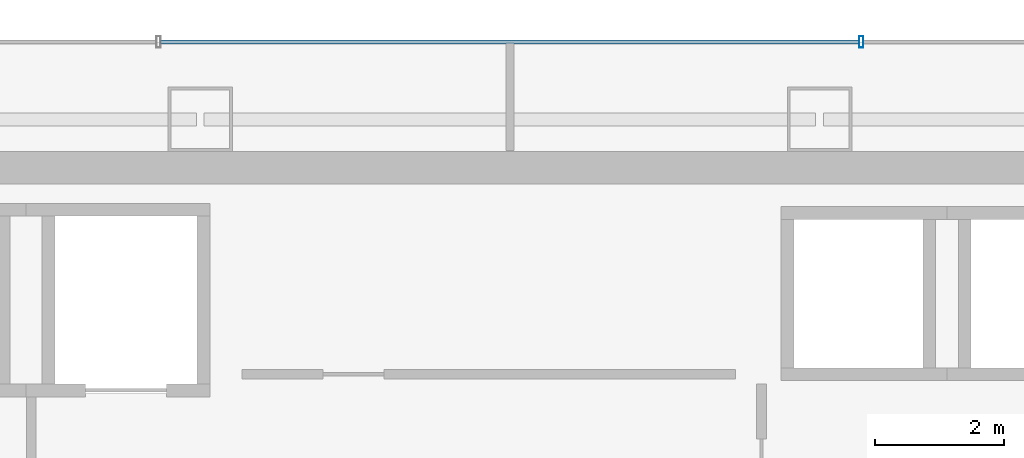
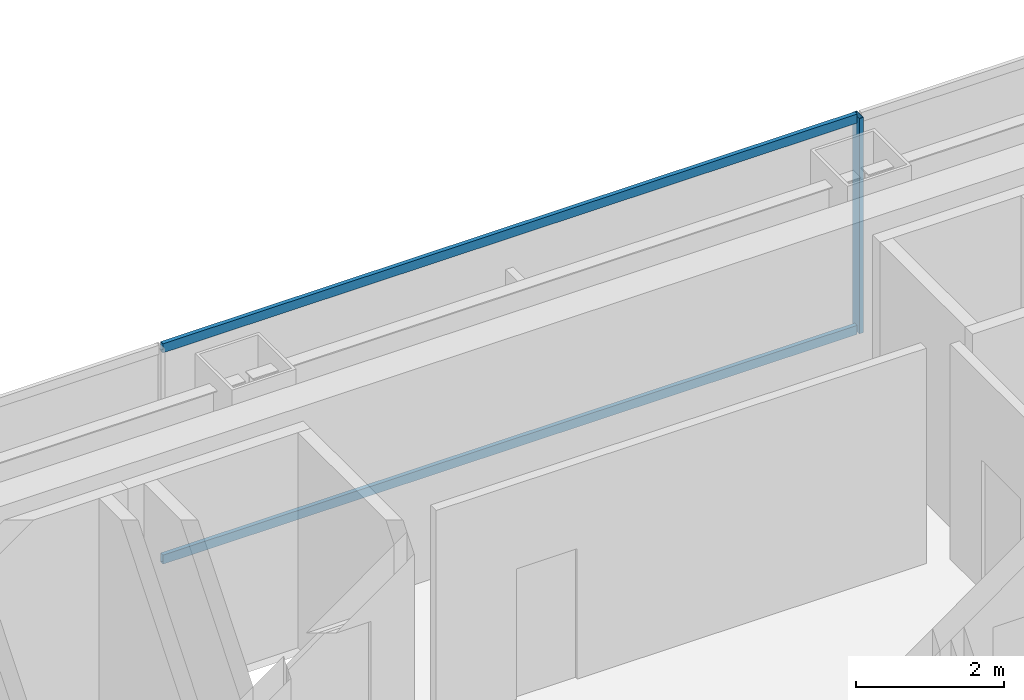
# One storey, part 24 of 37: 3 members, 1 element without a shape of its own.
"""IFC4 building model written with IfcOpenShell, lengths in metres."""

import ifcopenshell
import ifcopenshell.guid

model = None  # the IFC model being written
_history = None  # IfcOwnerHistory: only IFC2X3 demands one
_inside = {}  # id of a spatial element -> (the spatial element, [elements in it])
_under = {}  # id of a project, library or spatial element -> (it, [spatial elements below it])
_declared = {}  # id of a project -> (the project, [libraries it declares])
_typed = {}  # id of a type object -> (the type object, [elements of that type])
_made_of = {}  # id of a material, layer set ... -> (it, [elements and type objects made of it])


def new_model(schema):
    """Start an empty IFC model of exactly this schema.

    Asked for "IFC4X3", IfcOpenShell would pick the latest addendum, in which some entities
    have other attributes; the version numbers below select the first issue.
    IFC2X3 requires an IfcOwnerHistory on every rooted entity: one is made here for all.
    """
    global model, _history
    if schema == "IFC4X3":
        model = ifcopenshell.file(schema_version=(4, 3, 0, 0))
    else:
        model = ifcopenshell.file(schema=schema)
    _inside.clear()
    _under.clear()
    _declared.clear()
    _typed.clear()
    _made_of.clear()
    _history = None
    if model.schema == "IFC2X3":
        org = make("IfcOrganization", Name="unknown")
        user = make(
            "IfcPersonAndOrganization",
            ThePerson=make("IfcPerson", FamilyName="unknown"),
            TheOrganization=org,
        )
        app = make(
            "IfcApplication",
            ApplicationDeveloper=org,
            Version="unknown",
            ApplicationFullName="unknown",
            ApplicationIdentifier="unknown",
        )
        _history = make(
            "IfcOwnerHistory",
            OwningUser=user,
            OwningApplication=app,
            ChangeAction="ADDED",
            CreationDate=0,
        )
    return model


def make(cls, **values):
    """One entity of the class cls with the attributes given. An attribute that is None is left unset."""
    return model.create_entity(
        cls, **{name: value for name, value in values.items() if value is not None}
    )


def rooted(cls, **values):
    """An entity with a GlobalId (a new one), such as an element, a storey or a relation."""
    return make(cls, GlobalId=ifcopenshell.guid.new(), OwnerHistory=_history, **values)


def si_unit(unit_type, name, prefix=None):
    """IfcSIUnit, for example si_unit("LENGTHUNIT", "METRE", prefix="MILLI")."""
    return make("IfcSIUnit", UnitType=unit_type, Prefix=prefix, Name=name)


def assignment(units):
    """IfcUnitAssignment: the units of a project."""
    return None if units is None else make("IfcUnitAssignment", Units=units)


def point(xyz):
    """IfcCartesianPoint."""
    return None if xyz is None else make("IfcCartesianPoint", Coordinates=xyz)


def direction(xyz):
    """IfcDirection."""
    return None if xyz is None else make("IfcDirection", DirectionRatios=xyz)


def frame(location, z_axis=None, x_axis=None):
    """IfcAxis2Placement3D, a coordinate frame: its origin and axes. An axis left out is left unset."""
    return make(
        "IfcAxis2Placement3D",
        Location=point(location),
        Axis=direction(z_axis),
        RefDirection=direction(x_axis),
    )


def frame_2d(location, x_axis=None):
    """IfcAxis2Placement2D, a coordinate frame in the plane: its origin and x axis."""
    return make(
        "IfcAxis2Placement2D", Location=point(location), RefDirection=direction(x_axis)
    )


def origin():
    """The frame at (0, 0, 0) with its axes left unset."""
    return frame((0.0, 0.0, 0.0))


def origin_2d():
    """The frame at (0, 0) in the plane with its x axis left unset."""
    return frame_2d((0.0, 0.0))


def place(relative_to, where):
    """IfcLocalPlacement: puts the frame where relative to a parent placement (None: the world)."""
    return make(
        "IfcLocalPlacement", PlacementRelTo=relative_to, RelativePlacement=where
    )


def context(
    kind, dimensions, precision=None, world=None, true_north=None, identifier=None
):
    """IfcGeometricRepresentationContext, for example the 3D "Model" context."""
    return make(
        "IfcGeometricRepresentationContext",
        ContextIdentifier=identifier,
        ContextType=kind,
        CoordinateSpaceDimension=dimensions,
        Precision=precision,
        WorldCoordinateSystem=world,
        TrueNorth=true_north,
    )


def subcontext(parent, identifier, kind, view, scale=None):
    """IfcGeometricRepresentationSubContext, for example "Body" below "Model"."""
    return make(
        "IfcGeometricRepresentationSubContext",
        ContextIdentifier=identifier,
        ContextType=kind,
        ParentContext=parent,
        TargetScale=scale,
        TargetView=view,
    )


def project(units=None, contexts=None):
    """IfcProject with its units and contexts."""
    return rooted(
        "IfcProject",
        Name="project",
        RepresentationContexts=contexts,
        UnitsInContext=assignment(units),
    )


def spatial(cls, under=None, at=None, **own):
    """A site, building, storey or space (cls), placed at a placement, below another one or the project."""
    s = rooted(cls, ObjectPlacement=at, **own)
    if under is not None:
        _under.setdefault(under.id(), (under, []))[1].append(s)
    return s


def profile(cls, at=None, kind="AREA", **sizes):
    """A parametric profile (cls). Its sizes go by their IFC names, for example OverallWidth=200.0."""
    return make(cls, ProfileType=kind, Position=at, **sizes)


def hollow_rectangle(**sizes):
    """IfcRectangleHollowProfileDef."""
    return profile("IfcRectangleHollowProfileDef", **sizes)


def extrude(swept, where, along, depth):
    """IfcExtrudedAreaSolid: the profile swept, set in the frame where, extruded along a direction by depth."""
    return make(
        "IfcExtrudedAreaSolid",
        SweptArea=swept,
        Position=where,
        ExtrudedDirection=direction(along),
        Depth=depth,
    )


def shape(context_of_items, identifier, shape_type, items):
    """IfcShapeRepresentation: the items that make up one representation, for example the "Body"."""
    return make(
        "IfcShapeRepresentation",
        ContextOfItems=context_of_items,
        RepresentationIdentifier=identifier,
        RepresentationType=shape_type,
        Items=items,
    )


def material(Name=None, Category=None):
    """IfcMaterial."""
    return make("IfcMaterial", Name=Name, Category=Category)


def material_profile(
    of_material, cross_section, Name=None, Category=None, Priority=None
):
    """IfcMaterialProfile: a cross section and its material."""
    return make(
        "IfcMaterialProfile",
        Name=Name,
        Material=of_material,
        Profile=cross_section,
        Priority=Priority,
        Category=Category,
    )


def profile_set(profiles, Name=None, composite=None):
    """IfcMaterialProfileSet."""
    return make(
        "IfcMaterialProfileSet",
        Name=Name,
        MaterialProfiles=profiles,
        CompositeProfile=composite,
    )


def made_of(thing, what):
    """Note that an element or type object is made of a material, layer set ...; save() writes the relation."""
    if what is not None:
        _made_of.setdefault(what.id(), (what, []))[1].append(thing)
    return thing


def type_object(cls, material=None, **own):
    """A type object (cls), such as IfcWallType, which elements share."""
    return made_of(rooted(cls, **own), material)


def element(
    cls,
    number,
    at=None,
    inside=None,
    cuts=None,
    type_object=None,
    material=None,
    context=None,
    identifier="Body",
    shape_type=None,
    held_by="IfcProductDefinitionShape",
    body=None,
    shapes=None,
    **own,
):
    """One element of the class cls, such as IfcWall. Its Tag is "e" and its number.

    at: its placement. inside: the storey or other place that contains it. cuts: it is an
    opening in that element (IfcRelVoidsElement). A single representation is given by context,
    identifier, shape_type and body (its items); several are given by shapes. held_by: the class
    of the entity that holds the representations. save() writes the other relations.
    """
    e = rooted(cls, Tag="e%d" % number, ObjectPlacement=at, **own)
    if body is not None:
        shapes = [shape(context, identifier, shape_type, body)]
    if shapes is not None:
        e.Representation = make(held_by, Representations=shapes)
    if inside is not None:
        _inside.setdefault(inside.id(), (inside, []))[1].append(e)
    if cuts is not None:
        rooted(
            "IfcRelVoidsElement", RelatingBuildingElement=cuts, RelatedOpeningElement=e
        )
    if type_object is not None:
        _typed.setdefault(type_object.id(), (type_object, []))[1].append(e)
    return made_of(e, material)


def aggregate(whole, parts):
    """IfcRelAggregates: a whole, such as a stair, and the parts it consists of."""
    return rooted("IfcRelAggregates", RelatingObject=whole, RelatedObjects=parts)


def save(model, path):
    """Write the relations noted so far, then the file.

    IfcRelAggregates (storeys below a building ...), IfcRelContainedInSpatialStructure (elements
    in a storey), IfcRelDefinesByType, IfcRelAssociatesMaterial and IfcRelDeclares: one each for
    every whole, place, type object, material and project.
    """
    for whole, parts in _under.values():
        aggregate(whole, parts)
    for where, things in _inside.values():
        rooted(
            "IfcRelContainedInSpatialStructure",
            RelatedElements=things,
            RelatingStructure=where,
        )
    for kind, things in _typed.values():
        rooted("IfcRelDefinesByType", RelatedObjects=things, RelatingType=kind)
    for what, things in _made_of.values():
        rooted("IfcRelAssociatesMaterial", RelatedObjects=things, RelatingMaterial=what)
    for by, libraries in _declared.values():
        rooted("IfcRelDeclares", RelatingContext=by, RelatedDefinitions=libraries)
    model.write(path)


model = new_model("IFC4")

# Units and contexts
model_context = context("Model", 3, precision=1e-05, world=origin(), true_north=direction((0.0, 1.0)))
body_context = subcontext(model_context, "Body", "Model", "MODEL_VIEW")
ifc_project = project(units=[si_unit("LENGTHUNIT", "METRE"), si_unit("AREAUNIT", "SQUARE_METRE"), si_unit("VOLUMEUNIT", "CUBIC_METRE"), si_unit("PLANEANGLEUNIT", "RADIAN"), si_unit("MASSUNIT", "GRAM", prefix="KILO")], contexts=[model_context])

# Site, building, storey
site_placement = place(None, origin())
site = spatial("IfcSite", under=ifc_project, at=site_placement, CompositionType="ELEMENT")
building_placement = place(site_placement, origin())
building = spatial("IfcBuilding", under=site, at=building_placement, Name="Saevonmaru Cultural Tower", CompositionType="ELEMENT")
storey_placement = place(building_placement, frame((0.0, 0.0, 160.0)))
storey = spatial("IfcBuildingStorey", under=building, at=storey_placement, Name="L35", CompositionType="ELEMENT", Elevation=160.0)

# Curtain wall, members
ifc_material = material(Name="Satin Bronze Anodised Aluminium", Category="aluminium")
curtain_wall_type = type_object("IfcCurtainWallType", Name="CW-TYP-A", PredefinedType="NOTDEFINED", material=ifc_material)
curtain_wall_placement = place(storey_placement, origin())
curtain_wall = element("IfcCurtainWall", 1, at=curtain_wall_placement, inside=storey, type_object=curtain_wall_type, Name="L35 North Spine Unitised Curtain Wall E10B", PredefinedType="NOTDEFINED")
ifc_material_profile_1 = material_profile(ifc_material, hollow_rectangle(XDim=0.06494140625, YDim=0.179931640625, WallThickness=0.00390625, at=origin_2d()), Name="ALU-MULL-180x65x4")
ifc_profile_set_1 = profile_set([ifc_material_profile_1], Name="Satin Bronze Anodised Aluminium")
member_type_1 = type_object("IfcMemberType", Name="ML-CW-180x65", PredefinedType="MULLION", material=ifc_profile_set_1)
member_1_placement = place(storey_placement, frame((35.44677734375, 56.0, 0.0), z_axis=(0.0, 0.0, 1.0), x_axis=(-1.0, 0.0, 0.0)))
member_1 = element("IfcMember", 2, at=member_1_placement, type_object=member_type_1, Name="CW-TW-L35-E10B mullion 2", PredefinedType="MULLION", context=body_context, shape_type="SweptSolid", body=[
    extrude(hollow_rectangle(XDim=0.06494140625, YDim=0.179931640625, WallThickness=0.00390625, at=origin_2d()), origin(), (0.0, 0.0, 1.0), 3.550048828125),
])
ifc_material_profile_2 = material_profile(ifc_material, hollow_rectangle(XDim=0.06494140625, YDim=0.14990234375, WallThickness=0.00390625, at=origin_2d()), Name="ALU-TRAN-150x65x4")
ifc_profile_set_2 = profile_set([ifc_material_profile_2], Name="Satin Bronze Anodised Aluminium")
member_type_2 = type_object("IfcMemberType", Name="TR-CW-150x65", PredefinedType="USERDEFINED", material=ifc_profile_set_2)
member_2_placement = place(storey_placement, frame((35.4140625, 56.0, 0.032470703125), z_axis=(-1.0, 0.0, 0.0), x_axis=(0.0, -1.0, 0.0)))
member_2 = element("IfcMember", 3, at=member_2_placement, type_object=member_type_2, Name="CW-TW-L35-E10B transom 2.1", ObjectType="TRANSOM", PredefinedType="USERDEFINED", context=body_context, shape_type="SweptSolid", body=[
    extrude(hollow_rectangle(XDim=0.06494140625, YDim=0.14990234375, WallThickness=0.00390625, at=origin_2d()), origin(), (0.0, 0.0, 1.0), 10.828125),
])
member_3_placement = place(storey_placement, frame((35.4140625, 56.0, 3.517578125), z_axis=(-1.0, 0.0, 0.0), x_axis=(0.0, -1.0, 0.0)))
member_3 = element("IfcMember", 4, at=member_3_placement, type_object=member_type_2, Name="CW-TW-L35-E10B transom 2.2", ObjectType="TRANSOM", PredefinedType="USERDEFINED", context=body_context, shape_type="SweptSolid", body=[
    extrude(hollow_rectangle(XDim=0.06494140625, YDim=0.14990234375, WallThickness=0.00390625, at=origin_2d()), origin(), (0.0, 0.0, 1.0), 10.828125),
])
aggregate(curtain_wall, [member_1, member_2, member_3])

save(model, "model.ifc")
